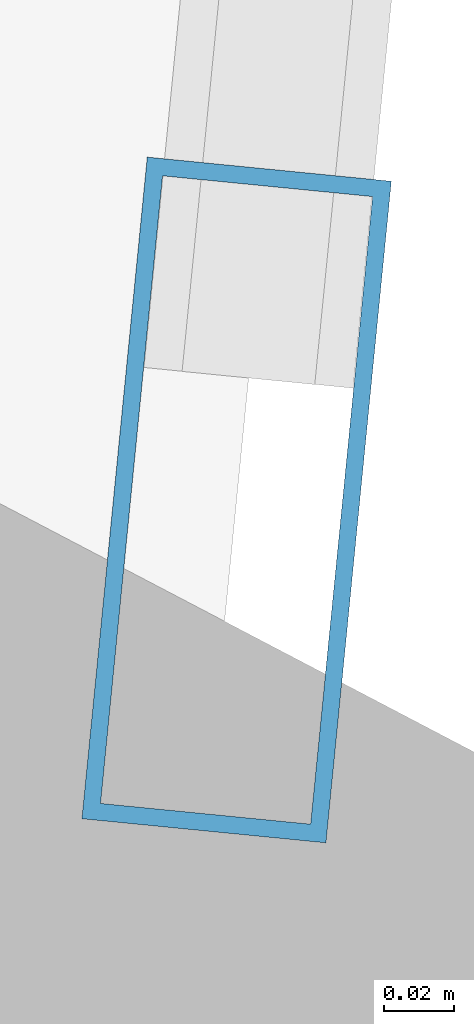
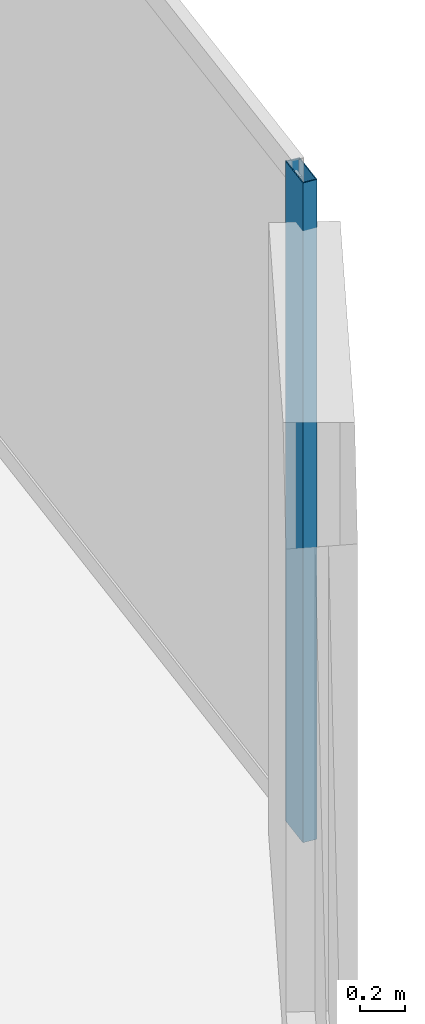
# One storey, part 11 of 26: 1 member, 1 element without a shape of its own.
"""IFC4 building model written with IfcOpenShell, lengths in metres."""

from ifc_helpers import new_model, si_unit, direction, frame, origin, origin_2d, place, context, subcontext, project, spatial, hollow_rectangle, extrude, source, transform, mapped, material, layer, layer_set, material_profile, profile_set, type_object, element, aggregate, save


model = new_model("IFC4")

# Units and contexts
model_context = context("Model", 3, precision=1e-05, world=origin(), true_north=direction((0.0, 1.0)))
body_context = subcontext(model_context, "Body", "Model", "MODEL_VIEW")
ifc_project = project(units=[si_unit("LENGTHUNIT", "METRE"), si_unit("AREAUNIT", "SQUARE_METRE"), si_unit("VOLUMEUNIT", "CUBIC_METRE"), si_unit("PLANEANGLEUNIT", "RADIAN"), si_unit("MASSUNIT", "GRAM", prefix="KILO")], contexts=[model_context])

# Site, building, storey
site_placement = place(None, origin())
site = spatial("IfcSite", under=ifc_project, at=site_placement, CompositionType="ELEMENT")
building_placement = place(site_placement, origin())
building = spatial("IfcBuilding", under=site, at=building_placement, Name="Solvirekh Grand Hotel", CompositionType="ELEMENT")
storey_placement = place(building_placement, frame((0.0, 0.0, 64.39990234375)))
storey = spatial("IfcBuildingStorey", under=building, at=storey_placement, Name="L15", CompositionType="ELEMENT", Elevation=64.39990234375)

# Curtain wall, member
ifc_material = material(Name="Anodized Bronze Aluminium 6063-T6", Category="aluminium")
ifc_layer = layer(ifc_material, 0.18994140625)
ifc_layer_set = layer_set([ifc_layer], Name="Anodized Bronze Aluminium 6063-T6")
curtain_wall_type = type_object("IfcCurtainWallType", Name="CW_Sys2_LowZoneFlushBronzeCW", PredefinedType="NOTDEFINED", material=ifc_layer_set)
curtain_wall_placement = place(storey_placement, origin())
curtain_wall = element("IfcCurtainWall", 1, at=curtain_wall_placement, inside=storey, type_object=curtain_wall_type, Name="L15 unitised bronze-glass curtain wall CW-L15-C01", PredefinedType="NOTDEFINED")
ifc_material_profile = material_profile(ifc_material, hollow_rectangle(XDim=0.070068359375, YDim=0.18994140625, WallThickness=0.0048828125, at=origin_2d()), Name="ALU RHS 190X70X5")
ifc_profile_set = profile_set([ifc_material_profile], Name="Anodized Bronze Aluminium 6063-T6")
member_type = type_object("IfcMemberType", Name="CWMullion_Sys2", PredefinedType="MULLION", material=ifc_profile_set)
shared_shape = source(origin(), body_context, "Body", "SweptSolid", [
    extrude(hollow_rectangle(XDim=0.070068359375, YDim=0.18994140625, WallThickness=0.0048828125, at=origin_2d()), origin(), (0.0, 0.0, 1.0), 3.60009765625),
])
member_placement = place(storey_placement, frame((24.722412109375, -7.697265625, 0.0), z_axis=(0.0, 0.0, 1.0), x_axis=(-0.995153729271, 0.098331353685, 0.0)))
member = element("IfcMember", 2, at=member_placement, type_object=member_type, Name="U02 mullion 1", PredefinedType="MULLION", context=body_context, shape_type="MappedRepresentation", body=[
    mapped(shared_shape, transform((0.0, 0.0, 0.0), x_axis=(1.0, 0.0, 0.0), y_axis=(0.0, 1.0, 0.0), z_axis=(0.0, 0.0, 1.0), scale=1.0)),
])
aggregate(curtain_wall, [member])

save(model, "model.ifc")
